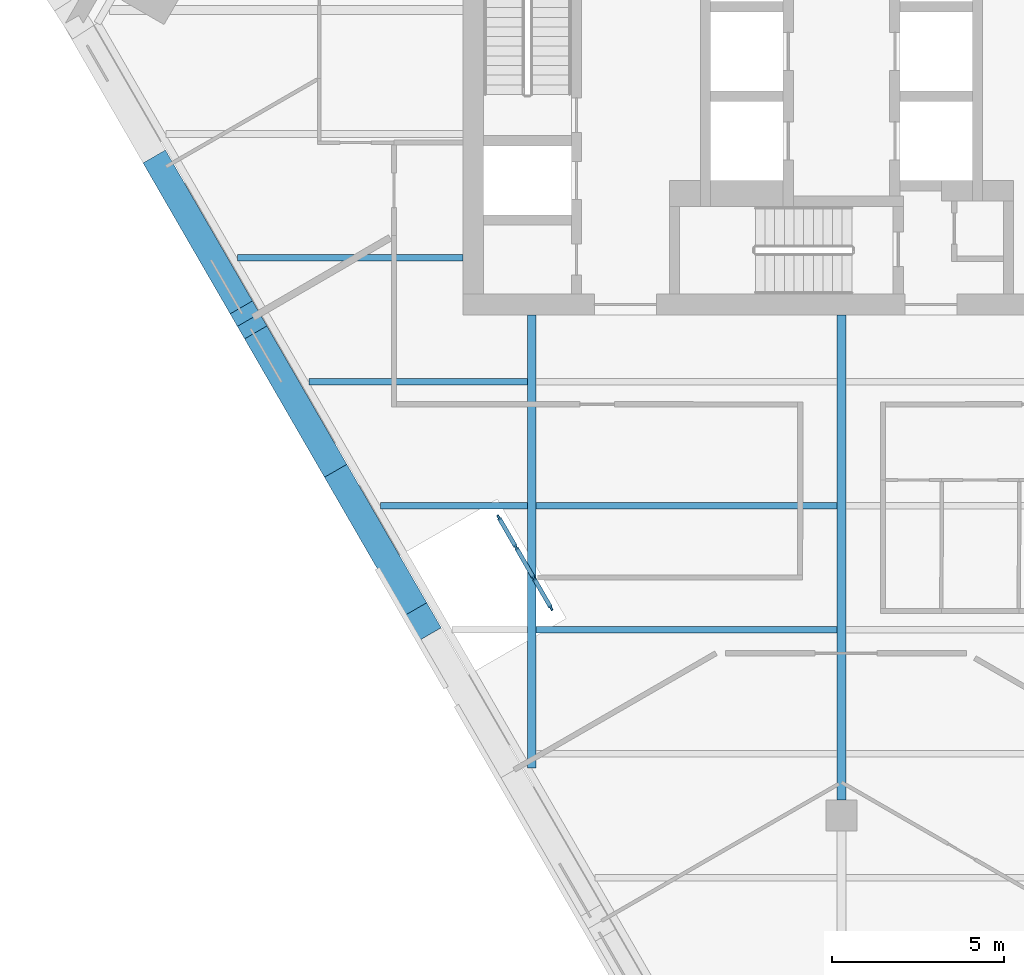
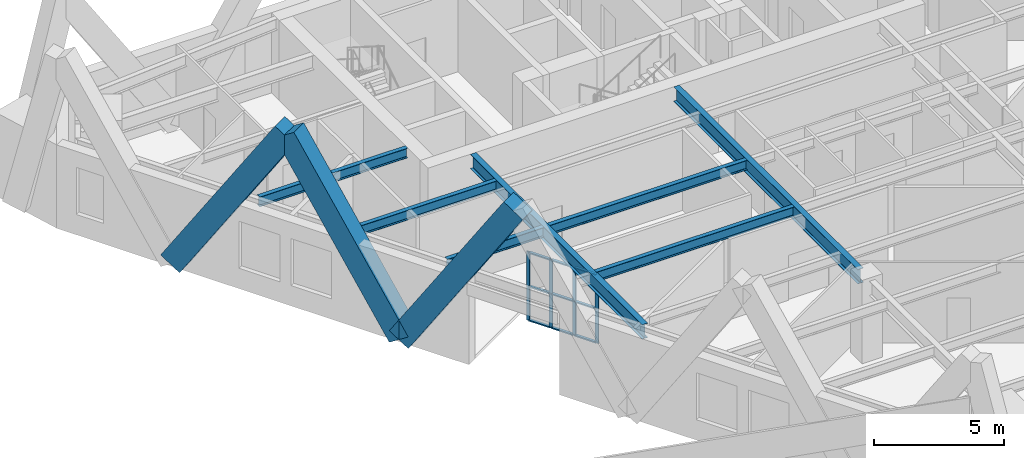
# One storey, part 2 of 9: 16 members, 7 beams, 1 element without a shape of its own.
"""IFC4 building model written with IfcOpenShell, lengths in metres."""

from ifc_helpers import new_model, si_unit, direction, frame, origin, origin_2d, place, context, subcontext, project, spatial, rectangle, i_section, extrude, material, material_profile, profile_set, type_object, element, aggregate, save


model = new_model("IFC4")

# Units and contexts
model_context = context("Model", 3, precision=1e-05, world=origin(), true_north=direction((0.0, 1.0)))
body_context = subcontext(model_context, "Body", "Model", "MODEL_VIEW")
ifc_project = project(units=[si_unit("LENGTHUNIT", "METRE"), si_unit("AREAUNIT", "SQUARE_METRE"), si_unit("VOLUMEUNIT", "CUBIC_METRE"), si_unit("PLANEANGLEUNIT", "RADIAN"), si_unit("MASSUNIT", "GRAM", prefix="KILO")], contexts=[model_context])

# Site, building, storey
site_placement = place(None, origin())
site = spatial("IfcSite", under=ifc_project, at=site_placement, CompositionType="ELEMENT")
building_placement = place(site_placement, origin())
building = spatial("IfcBuilding", under=site, at=building_placement, Name="Aloe Facet Convention Tower", CompositionType="ELEMENT")
storey_placement = place(building_placement, frame((0.0, 0.0, 152.0)))
storey = spatial("IfcBuildingStorey", under=building, at=storey_placement, Name="L38", CompositionType="ELEMENT", Elevation=152.0)

# Curtain wall, members
ifc_material_1 = material(Name="Aluminium, anodised", Category="aluminium")
curtain_wall_type = type_object("IfcCurtainWallType", Name="EV-CW-TERRACE", PredefinedType="USERDEFINED", material=ifc_material_1)
curtain_wall_placement = place(storey_placement, origin())
curtain_wall = element("IfcCurtainWall", 1, at=curtain_wall_placement, inside=storey, type_object=curtain_wall_type, Name="CW-T08", ObjectType="TERRACE BACK GLAZING", PredefinedType="USERDEFINED")
ifc_material_2 = material(Name="Aluminium, anodised", Category="aluminium")
ifc_material_profile_1 = material_profile(ifc_material_2, rectangle(XDim=0.06005859375, YDim=0.14990234375, at=origin_2d()), Name="AL 60x150")
ifc_profile_set_1 = profile_set([ifc_material_profile_1], Name="Aluminium, anodised")
member_type_1 = type_object("IfcMemberType", Name="EV-MULL-TERRACE", PredefinedType="MULLION", material=ifc_profile_set_1)
member_1_placement = place(storey_placement, frame((70.04443359375, 116.6640625, -0.14990234375), z_axis=(0.0, 0.0, 1.0), x_axis=(0.866025403802, 0.49999999997, 0.0)))
member_1 = element("IfcMember", 2, at=member_1_placement, type_object=member_type_1, Name="CW-T08 mullion 1", PredefinedType="MULLION", context=body_context, shape_type="SweptSolid", body=[
    extrude(rectangle(XDim=0.06005859375, YDim=0.14990234375, at=origin_2d()), origin(), (0.0, 0.0, 1.0), 3.221923828125),
])
member_2_placement = place(storey_placement, frame((70.546142578125, 115.795166015625, -0.14990234375), z_axis=(0.0, 0.0, 1.0), x_axis=(0.866025403802, 0.49999999997, 0.0)))
member_2 = element("IfcMember", 3, at=member_2_placement, type_object=member_type_1, Name="CW-T08 mullion 2", PredefinedType="MULLION", context=body_context, shape_type="SweptSolid", body=[
    extrude(rectangle(XDim=0.06005859375, YDim=0.14990234375, at=origin_2d()), origin(), (0.0, 0.0, 1.0), 3.221923828125),
])
member_3_placement = place(storey_placement, frame((71.062744140625, 114.900390625, -0.14990234375), z_axis=(0.0, 0.0, 1.0), x_axis=(0.866025403802, 0.49999999997, 0.0)))
member_3 = element("IfcMember", 4, at=member_3_placement, type_object=member_type_1, Name="CW-T08 mullion 3", PredefinedType="MULLION", context=body_context, shape_type="SweptSolid", body=[
    extrude(rectangle(XDim=0.06005859375, YDim=0.14990234375, at=origin_2d()), origin(), (0.0, 0.0, 1.0), 3.221923828125),
])
member_4_placement = place(storey_placement, frame((71.564453125, 114.031494140625, -0.14990234375), z_axis=(0.0, 0.0, 1.0), x_axis=(0.866025403802, 0.49999999997, 0.0)))
member_4 = element("IfcMember", 5, at=member_4_placement, type_object=member_type_1, Name="CW-T08 mullion 4", PredefinedType="MULLION", context=body_context, shape_type="SweptSolid", body=[
    extrude(rectangle(XDim=0.06005859375, YDim=0.14990234375, at=origin_2d()), origin(), (0.0, 0.0, 1.0), 3.221923828125),
])
ifc_material_3 = material(Name="Aluminium, anodised", Category="aluminium")
ifc_material_profile_2 = material_profile(ifc_material_3, rectangle(XDim=0.1201171875, YDim=0.06005859375, at=origin_2d()), Name="AL 120x60")
ifc_profile_set_2 = profile_set([ifc_material_profile_2], Name="Aluminium, anodised")
member_type_2 = type_object("IfcMemberType", Name="EV-TRAN-TERRACE", PredefinedType="USERDEFINED", material=ifc_profile_set_2)
member_5_placement = place(storey_placement, frame((70.059326171875, 116.63818359375, -0.1201171875), z_axis=(0.500036104519, -0.866004557827, 0.0), x_axis=(0.866004557827, 0.500036104519, 0.0)))
member_5 = element("IfcMember", 6, at=member_5_placement, type_object=member_type_2, Name="CW-T08 transom 1.1", ObjectType="TRANSOM", PredefinedType="USERDEFINED", context=body_context, shape_type="SweptSolid", body=[
    extrude(rectangle(XDim=0.1201171875, YDim=0.06005859375, at=origin_2d()), origin(), (0.0, 0.0, 1.0), 0.943359375),
])
member_6_placement = place(storey_placement, frame((70.059326171875, 116.63818359375, 1.4609375), z_axis=(0.500036104519, -0.866004557827, 0.0), x_axis=(0.866004557827, 0.500036104519, 0.0)))
member_6 = element("IfcMember", 7, at=member_6_placement, type_object=member_type_2, Name="CW-T08 transom 1.2", ObjectType="TRANSOM", PredefinedType="USERDEFINED", context=body_context, shape_type="SweptSolid", body=[
    extrude(rectangle(XDim=0.1201171875, YDim=0.06005859375, at=origin_2d()), origin(), (0.0, 0.0, 1.0), 0.943359375),
])
member_7_placement = place(storey_placement, frame((70.059326171875, 116.63818359375, 3.0419921875), z_axis=(0.500036104519, -0.866004557827, 0.0), x_axis=(0.866004557827, 0.500036104519, 0.0)))
member_7 = element("IfcMember", 8, at=member_7_placement, type_object=member_type_2, Name="CW-T08 transom 1.3", ObjectType="TRANSOM", PredefinedType="USERDEFINED", context=body_context, shape_type="SweptSolid", body=[
    extrude(rectangle(XDim=0.1201171875, YDim=0.06005859375, at=origin_2d()), origin(), (0.0, 0.0, 1.0), 0.943359375),
])
member_8_placement = place(storey_placement, frame((70.56103515625, 115.769287109375, -0.1201171875), z_axis=(0.500077026027, -0.86598092822, 0.0), x_axis=(0.86598092822, 0.500077026027, 0.0)))
member_8 = element("IfcMember", 9, at=member_8_placement, type_object=member_type_2, Name="CW-T08 transom 2.1", ObjectType="TRANSOM", PredefinedType="USERDEFINED", context=body_context, shape_type="SweptSolid", body=[
    extrude(rectangle(XDim=0.1201171875, YDim=0.06005859375, at=origin_2d()), origin(), (0.0, 0.0, 1.0), 0.973388671875),
])
member_9_placement = place(storey_placement, frame((70.56103515625, 115.769287109375, 1.4609375), z_axis=(0.500077026027, -0.86598092822, 0.0), x_axis=(0.86598092822, 0.500077026027, 0.0)))
member_9 = element("IfcMember", 10, at=member_9_placement, type_object=member_type_2, Name="CW-T08 transom 2.2", ObjectType="TRANSOM", PredefinedType="USERDEFINED", context=body_context, shape_type="SweptSolid", body=[
    extrude(rectangle(XDim=0.1201171875, YDim=0.06005859375, at=origin_2d()), origin(), (0.0, 0.0, 1.0), 0.973388671875),
])
member_10_placement = place(storey_placement, frame((70.56103515625, 115.769287109375, 3.0419921875), z_axis=(0.500077026027, -0.86598092822, 0.0), x_axis=(0.86598092822, 0.500077026027, 0.0)))
member_10 = element("IfcMember", 11, at=member_10_placement, type_object=member_type_2, Name="CW-T08 transom 2.3", ObjectType="TRANSOM", PredefinedType="USERDEFINED", context=body_context, shape_type="SweptSolid", body=[
    extrude(rectangle(XDim=0.1201171875, YDim=0.06005859375, at=origin_2d()), origin(), (0.0, 0.0, 1.0), 0.973388671875),
])
member_11_placement = place(storey_placement, frame((71.07763671875, 114.874267578125, -0.1201171875), z_axis=(0.500036104519, -0.866004557827, 0.0), x_axis=(0.866004557827, 0.500036104519, 0.0)))
member_11 = element("IfcMember", 12, at=member_11_placement, type_object=member_type_2, Name="CW-T08 transom 3.1", ObjectType="TRANSOM", PredefinedType="USERDEFINED", context=body_context, shape_type="SweptSolid", body=[
    extrude(rectangle(XDim=0.1201171875, YDim=0.06005859375, at=origin_2d()), origin(), (0.0, 0.0, 1.0), 0.943359375),
])
member_12_placement = place(storey_placement, frame((71.07763671875, 114.874267578125, 1.4609375), z_axis=(0.500036104519, -0.866004557827, 0.0), x_axis=(0.866004557827, 0.500036104519, 0.0)))
member_12 = element("IfcMember", 13, at=member_12_placement, type_object=member_type_2, Name="CW-T08 transom 3.2", ObjectType="TRANSOM", PredefinedType="USERDEFINED", context=body_context, shape_type="SweptSolid", body=[
    extrude(rectangle(XDim=0.1201171875, YDim=0.06005859375, at=origin_2d()), origin(), (0.0, 0.0, 1.0), 0.943359375),
])
member_13_placement = place(storey_placement, frame((71.07763671875, 114.874267578125, 3.0419921875), z_axis=(0.500036104519, -0.866004557827, 0.0), x_axis=(0.866004557827, 0.500036104519, 0.0)))
member_13 = element("IfcMember", 14, at=member_13_placement, type_object=member_type_2, Name="CW-T08 transom 3.3", ObjectType="TRANSOM", PredefinedType="USERDEFINED", context=body_context, shape_type="SweptSolid", body=[
    extrude(rectangle(XDim=0.1201171875, YDim=0.06005859375, at=origin_2d()), origin(), (0.0, 0.0, 1.0), 0.943359375),
])
aggregate(curtain_wall, [member_1, member_2, member_3, member_4, member_5, member_6, member_7, member_8, member_9, member_10, member_11, member_12, member_13])

# Beams
ifc_material_4 = material(Name="Steel S355", Category="steel")
ifc_material_profile_3 = material_profile(ifc_material_4, i_section(OverallWidth=0.19140625, OverallDepth=0.4599609375, WebThickness=0.010009765625, FlangeThickness=0.01611328125, FilletRadius=0.01025390625, at=origin_2d()), Name="UB 457x191x82")
ifc_profile_set_3 = profile_set([ifc_material_profile_3], Name="Steel S355")
beam_type_1 = type_object("IfcBeamType", Name="SF-B-UB457x191x82", PredefinedType="BEAM", material=ifc_profile_set_3)
beam_1_placement = place(storey_placement, frame((62.452392578125, 124.199951171875, 3.52001953125), z_axis=(1.0, 0.0, 0.0), x_axis=(0.0, 1.0, 0.0)))
element("IfcBeam", 15, at=beam_1_placement, inside=storey, type_object=beam_type_1, Name="Floor beam FB-Z3C-016", PredefinedType="BEAM", context=body_context, shape_type="SweptSolid", body=[
    extrude(i_section(OverallWidth=0.19140625, OverallDepth=0.4599609375, WebThickness=0.010009765625, FlangeThickness=0.01611328125, FilletRadius=0.01025390625, at=origin_2d()), origin(), (0.0, 0.0, 1.0), 6.547607421875),
])
beam_2_placement = place(storey_placement, frame((64.53076171875, 120.60009765625, 3.52001953125), z_axis=(1.0, 0.0, 0.0), x_axis=(0.0, 1.0, 0.0)))
element("IfcBeam", 16, at=beam_2_placement, inside=storey, type_object=beam_type_1, Name="Floor beam FB-Z3C-017", PredefinedType="BEAM", context=body_context, shape_type="SweptSolid", body=[
    extrude(i_section(OverallWidth=0.19140625, OverallDepth=0.4599609375, WebThickness=0.010009765625, FlangeThickness=0.01611328125, FilletRadius=0.01025390625, at=origin_2d()), origin(), (0.0, 0.0, 1.0), 6.3427734375),
])
beam_3_placement = place(storey_placement, frame((66.609130859375, 117.0, 3.52001953125), z_axis=(1.0, 0.0, 0.0), x_axis=(0.0, 1.0, 0.0)))
element("IfcBeam", 17, at=beam_3_placement, inside=storey, type_object=beam_type_1, Name="Floor beam FB-Z3C-018", PredefinedType="BEAM", context=body_context, shape_type="SweptSolid", body=[
    extrude(i_section(OverallWidth=0.19140625, OverallDepth=0.4599609375, WebThickness=0.010009765625, FlangeThickness=0.01611328125, FilletRadius=0.01025390625, at=origin_2d()), origin(), (0.0, 0.0, 1.0), 4.264404296875),
])
for number, where, z_axis, x_axis, name in (
    (18, (71.12646484375, 113.39990234375, 3.52001953125), (1.0, 0.0, 0.0), (0.0, 1.0, 0.0), "Floor beam FB-Z3C-021"),
    (19, (71.12646484375, 117.0, 3.52001953125), (1.0, 0.0, 0.0), (0.0, 1.0, 0.0), "Floor beam FB-Z3C-022"),
):
    element("IfcBeam", number, at=place(storey_placement, frame(where, z_axis=z_axis, x_axis=x_axis)), inside=storey, type_object=beam_type_1, Name=name, PredefinedType="BEAM", context=body_context, shape_type="SweptSolid", body=[
        extrude(i_section(OverallWidth=0.19140625, OverallDepth=0.4599609375, WebThickness=0.010009765625, FlangeThickness=0.01611328125, FilletRadius=0.01025390625, at=origin_2d()), origin(), (0.0, 0.0, 1.0), 8.7470703125),
    ])
ifc_material_5 = material(Name="Steel S355", Category="steel")
ifc_material_profile_4 = material_profile(ifc_material_5, i_section(OverallWidth=0.2529296875, OverallDepth=0.677978515625, WebThickness=0.01171875, FlangeThickness=0.01611328125, FilletRadius=0.01513671875, at=origin_2d()), Name="UB 686x254x125")
ifc_profile_set_4 = profile_set([ifc_material_profile_4], Name="Steel S355")
beam_type_2 = type_object("IfcBeamType", Name="SF-B-UB686x254x125", PredefinedType="BEAM", material=ifc_profile_set_4)
beam_4_placement = place(storey_placement, frame((71.0, 122.550048828125, 3.410888671875), z_axis=(0.0, -1.0, 0.0), x_axis=(1.0, 0.0, 0.0)))
element("IfcBeam", 20, at=beam_4_placement, inside=storey, type_object=beam_type_2, Name="Floor beam FB-Z3C-010", PredefinedType="BEAM", context=body_context, shape_type="SweptSolid", body=[
    extrude(i_section(OverallWidth=0.2529296875, OverallDepth=0.677978515625, WebThickness=0.01171875, FlangeThickness=0.01611328125, FilletRadius=0.01513671875, at=origin_2d()), origin(), (0.0, 0.0, 1.0), 13.162353515625),
])
beam_5_placement = place(storey_placement, frame((80.0, 122.550048828125, 3.410888671875), z_axis=(0.0, -1.0, 0.0), x_axis=(1.0, 0.0, 0.0)))
element("IfcBeam", 21, at=beam_5_placement, inside=storey, type_object=beam_type_2, Name="Floor beam FB-Z3C-012", PredefinedType="BEAM", context=body_context, shape_type="SweptSolid", body=[
    extrude(i_section(OverallWidth=0.2529296875, OverallDepth=0.677978515625, WebThickness=0.01171875, FlangeThickness=0.01611328125, FilletRadius=0.01513671875, at=origin_2d()), origin(), (0.0, 0.0, 1.0), 14.10009765625),
])

# Members
ifc_material_6 = material(Name="Concrete C60/75, bronze oxide finish", Category="concrete")
ifc_material_profile_5 = material_profile(ifc_material_6, rectangle(XDim=0.75, YDim=1.0, at=origin_2d()), Name="STW-LM")
ifc_profile_set_5 = profile_set([ifc_material_profile_5], Name="Concrete C60/75, bronze oxide finish")
member_type_3 = type_object("IfcMemberType", Name="STW-LM", PredefinedType="BRACE", material=ifc_profile_set_5)
for number, where, z_axis, x_axis, name in (
    (22, (60.2470703125, 126.783447265625, 0.0), (0.272159738981, -0.47134968398, 0.83890318386), (0.866004820053, 0.500035650373, 0.0), "Lattice member LM-Z3-F2-R3-02"),
    (23, (65.307861328125, 118.01806640625, 0.0), (-0.272132057907, 0.471373475835, 0.838898795647), (-0.866037770685, -0.499978579288, 0.0), "Lattice member LM-Z3-F2-R3-03"),
):
    element("IfcMember", number, at=place(storey_placement, frame(where, z_axis=z_axis, x_axis=x_axis)), inside=storey, type_object=member_type_3, Name=name, PredefinedType="BRACE", context=body_context, shape_type="SweptSolid", body=[
        extrude(rectangle(XDim=0.75, YDim=1.0, at=origin_2d()), origin(), (0.0, 0.0, 1.0), 9.2978515625),
    ])
member_14_placement = place(storey_placement, frame((65.307861328125, 118.01806640625, 0.0), z_axis=(0.272156370565, -0.471370107514, 0.838892801079), x_axis=(0.866016881694, 0.500014760403, 0.0)))
element("IfcMember", 24, at=member_14_placement, inside=storey, type_object=member_type_3, Name="Lattice member LM-Z3-F2-R3-04", PredefinedType="BRACE", context=body_context, shape_type="SweptSolid", body=[
    extrude(rectangle(XDim=0.75, YDim=1.0, at=origin_2d()), origin(), (0.0, 0.0, 1.0), 9.298095703125),
])

save(model, "model.ifc")
